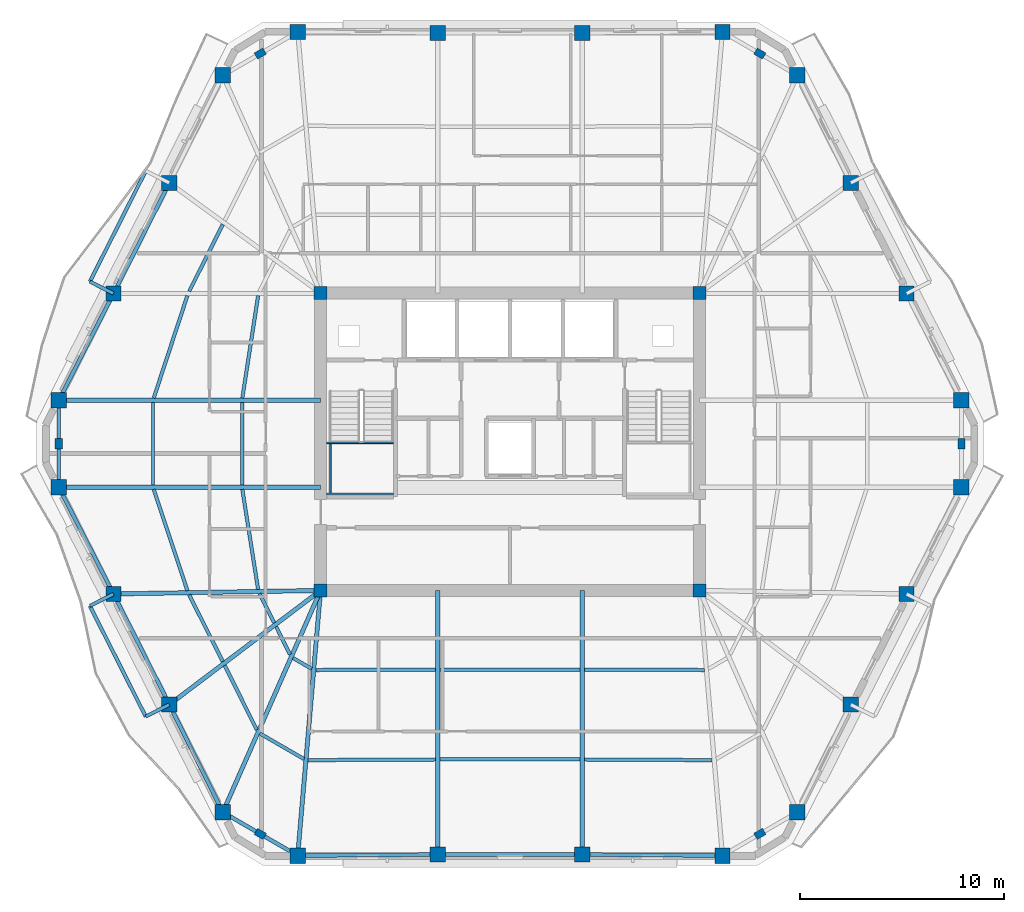
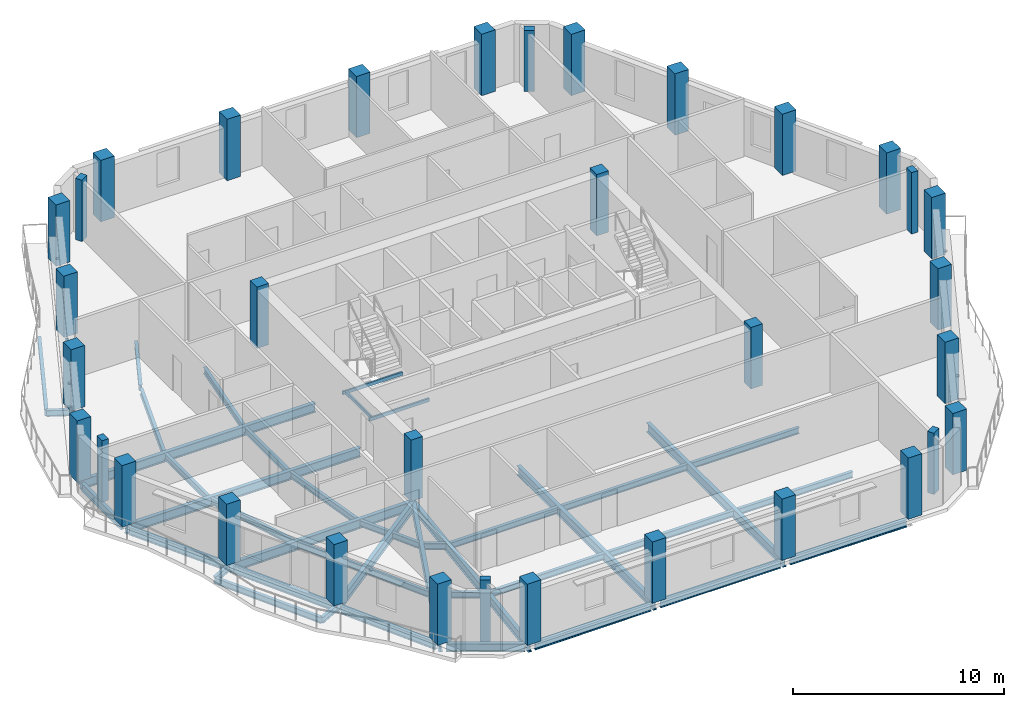
# One storey, part 1 of 11: 45 beams, 34 columns.
"""IFC4 building model written with IfcOpenShell, lengths in metres."""

from ifc_helpers import new_model, si_unit, direction, frame, origin, origin_2d, place, context, subcontext, project, spatial, rectangle, hollow_rectangle, i_section, extrude, material, material_profile, profile_set, type_object, element, save


model = new_model("IFC4")

# Units and contexts
model_context = context("Model", 3, precision=1e-05, world=origin(), true_north=direction((0.0, 1.0)))
body_context = subcontext(model_context, "Body", "Model", "MODEL_VIEW")
ifc_project = project(units=[si_unit("LENGTHUNIT", "METRE"), si_unit("AREAUNIT", "SQUARE_METRE"), si_unit("VOLUMEUNIT", "CUBIC_METRE"), si_unit("PLANEANGLEUNIT", "RADIAN"), si_unit("MASSUNIT", "GRAM", prefix="KILO")], contexts=[model_context])

# Site, building, storey
site_placement = place(None, origin())
site = spatial("IfcSite", under=ifc_project, at=site_placement, CompositionType="ELEMENT")
building_placement = place(site_placement, origin())
building = spatial("IfcBuilding", under=site, at=building_placement, Name="Cinnabar Lancet Tower", CompositionType="ELEMENT")
storey_placement = place(building_placement, frame((0.0, 0.0, 214.5)))
storey = spatial("IfcBuildingStorey", under=building, at=storey_placement, Name="L57", CompositionType="ELEMENT", Elevation=214.5)

# Columns
ifc_material_1 = material(Name="Concrete C60/75", Category="concrete")
ifc_material_profile_1 = material_profile(ifc_material_1, rectangle(XDim=0.64990234375, YDim=0.64990234375, at=origin_2d()), Name="RC-COL 650x650")
ifc_profile_set_1 = profile_set([ifc_material_profile_1], Name="Concrete C60/75")
column_type_1 = type_object("IfcColumnType", Name="STR-COL-CORE-650", PredefinedType="COLUMN", material=ifc_profile_set_1)
for number, where, z_axis, x_axis, name in (
    (1, (23.10009765625, 18.60009765625, 0.0), (0.0, 0.0, 1.0), (1.0, 0.0, 0.0), "L57 Core Corner Column SW"),
    (2, (41.699951171875, 18.60009765625, 0.0), (0.0, 0.0, 1.0), (1.0, 0.0, 0.0), "L57 Core Corner Column SE"),
    (3, (41.699951171875, 33.199951171875, 0.0), (0.0, 0.0, 1.0), (1.0, 0.0, 0.0), "L57 Core Corner Column NE"),
    (4, (23.10009765625, 33.199951171875, 0.0), (0.0, 0.0, 1.0), (1.0, 0.0, 0.0), "L57 Core Corner Column NW"),
):
    element("IfcColumn", number, at=place(storey_placement, frame(where, z_axis=z_axis, x_axis=x_axis)), inside=storey, type_object=column_type_1, Name=name, PredefinedType="COLUMN", context=body_context, shape_type="SweptSolid", body=[
        extrude(rectangle(XDim=0.64990234375, YDim=0.64990234375, at=origin_2d()), origin(), (0.0, 0.0, 1.0), 3.550048828125),
    ])
ifc_material_2 = material(Name="Concrete C60/75", Category="concrete")
ifc_material_profile_2 = material_profile(ifc_material_2, rectangle(XDim=0.5, YDim=0.35009765625, at=origin_2d()), Name="RC-PIL 500x350")
ifc_profile_set_2 = profile_set([ifc_material_profile_2], Name="Concrete C60/75")
column_type_2 = type_object("IfcColumnType", Name="STR-COL-PIL-500", PredefinedType="PILASTER", material=ifc_profile_set_2)
for number, where, z_axis, x_axis, name in (
    (5, (20.14208984375, 6.654052734375, 0.0), (0.0, 0.0, 1.0), (0.865230187018, -0.501374833306, 0.0), "L57 Chamfered Corner Pilaster 1"),
    (6, (44.657958984375, 6.654052734375, 0.0), (0.0, 0.0, 1.0), (0.865230187018, 0.501374833306, 0.0), "L57 Chamfered Corner Pilaster 2"),
    (7, (54.547119140625, 25.800048828125, 0.0), (0.0, 0.0, 1.0), (0.0, 1.0, 0.0), "L57 Chamfered Corner Pilaster 3"),
    (8, (44.657958984375, 44.947021484375, 0.0), (0.0, 0.0, 1.0), (-0.865230187018, 0.501374833306, 0.0), "L57 Chamfered Corner Pilaster 4"),
    (9, (20.14208984375, 44.947021484375, 0.0), (0.0, 0.0, 1.0), (-0.865230187018, -0.501374833306, 0.0), "L57 Chamfered Corner Pilaster 5"),
    (10, (10.2529296875, 25.800048828125, 0.0), (0.0, 0.0, 1.0), (0.0, -1.0, 0.0), "L57 Chamfered Corner Pilaster 6"),
):
    element("IfcColumn", number, at=place(storey_placement, frame(where, z_axis=z_axis, x_axis=x_axis)), inside=storey, type_object=column_type_2, Name=name, PredefinedType="PILASTER", context=body_context, shape_type="SweptSolid", body=[
        extrude(rectangle(XDim=0.5, YDim=0.35009765625, at=origin_2d()), origin(), (0.0, 0.0, 1.0), 3.550048828125),
    ])
ifc_material_3 = material(Name="Concrete C50/60", Category="concrete")
ifc_material_profile_3 = material_profile(ifc_material_3, rectangle(XDim=0.75, YDim=0.75, at=origin_2d()), Name="RC-COL 750x750")
ifc_profile_set_3 = profile_set([ifc_material_profile_3], Name="Concrete C50/60")
column_type_3 = type_object("IfcColumnType", Name="STR-COL-TUBE-750", PredefinedType="COLUMN", material=ifc_profile_set_3)
for number, where, z_axis, x_axis, name in (
    (11, (21.97900390625, 5.589111328125, 0.0), (0.0, 0.0, 1.0), (1.0, 0.0, 0.0), "L57 Perimeter Tube Column 1"),
    (12, (28.85693359375, 5.64208984375, 0.0), (0.0, 0.0, 1.0), (1.0, 0.0, 0.0), "L57 Perimeter Tube Column 2"),
    (13, (35.943115234375, 5.64208984375, 0.0), (0.0, 0.0, 1.0), (1.0, 0.0, 0.0), "L57 Perimeter Tube Column 3"),
    (14, (42.821044921875, 5.589111328125, 0.0), (0.0, 0.0, 1.0), (1.0, 0.0, 0.0), "L57 Perimeter Tube Column 4"),
    (15, (46.4951171875, 7.718017578125, 0.0), (0.0, 0.0, 1.0), (1.0, 0.0, 0.0), "L57 Perimeter Tube Column 5"),
    (16, (49.118896484375, 13.0009765625, 0.0), (0.0, 0.0, 1.0), (1.0, 0.0, 0.0), "L57 Perimeter Tube Column 6"),
    (17, (51.85791015625, 18.428955078125, 0.0), (0.0, 0.0, 1.0), (1.0, 0.0, 0.0), "L57 Perimeter Tube Column 7"),
    (18, (54.547119140625, 23.66796875, 0.0), (0.0, 0.0, 1.0), (1.0, 0.0, 0.0), "L57 Perimeter Tube Column 8"),
    (19, (54.547119140625, 27.931884765625, 0.0), (0.0, 0.0, 1.0), (1.0, 0.0, 0.0), "L57 Perimeter Tube Column 9"),
    (20, (51.85791015625, 33.1708984375, 0.0), (0.0, 0.0, 1.0), (1.0, 0.0, 0.0), "L57 Perimeter Tube Column 10"),
    (21, (49.118896484375, 38.59912109375, 0.0), (0.0, 0.0, 1.0), (1.0, 0.0, 0.0), "L57 Perimeter Tube Column 11"),
    (22, (46.4951171875, 43.882080078125, 0.0), (0.0, 0.0, 1.0), (1.0, 0.0, 0.0), "L57 Perimeter Tube Column 12"),
    (23, (42.821044921875, 46.010986328125, 0.0), (0.0, 0.0, 1.0), (1.0, 0.0, 0.0), "L57 Perimeter Tube Column 13"),
    (24, (35.943115234375, 45.9580078125, 0.0), (0.0, 0.0, 1.0), (1.0, 0.0, 0.0), "L57 Perimeter Tube Column 14"),
    (25, (28.85693359375, 45.9580078125, 0.0), (0.0, 0.0, 1.0), (1.0, 0.0, 0.0), "L57 Perimeter Tube Column 15"),
    (26, (21.97900390625, 46.010986328125, 0.0), (0.0, 0.0, 1.0), (1.0, 0.0, 0.0), "L57 Perimeter Tube Column 16"),
    (27, (18.304931640625, 43.882080078125, 0.0), (0.0, 0.0, 1.0), (1.0, 0.0, 0.0), "L57 Perimeter Tube Column 17"),
    (28, (15.680908203125, 38.59912109375, 0.0), (0.0, 0.0, 1.0), (1.0, 0.0, 0.0), "L57 Perimeter Tube Column 18"),
    (29, (12.94189453125, 33.1708984375, 0.0), (0.0, 0.0, 1.0), (1.0, 0.0, 0.0), "L57 Perimeter Tube Column 19"),
    (30, (10.2529296875, 27.931884765625, 0.0), (0.0, 0.0, 1.0), (1.0, 0.0, 0.0), "L57 Perimeter Tube Column 20"),
    (31, (10.2529296875, 23.66796875, 0.0), (0.0, 0.0, 1.0), (1.0, 0.0, 0.0), "L57 Perimeter Tube Column 21"),
    (32, (12.94189453125, 18.428955078125, 0.0), (0.0, 0.0, 1.0), (1.0, 0.0, 0.0), "L57 Perimeter Tube Column 22"),
    (33, (15.680908203125, 13.0009765625, 0.0), (0.0, 0.0, 1.0), (1.0, 0.0, 0.0), "L57 Perimeter Tube Column 23"),
    (34, (18.304931640625, 7.718017578125, 0.0), (0.0, 0.0, 1.0), (1.0, 0.0, 0.0), "L57 Perimeter Tube Column 24"),
):
    element("IfcColumn", number, at=place(storey_placement, frame(where, z_axis=z_axis, x_axis=x_axis)), inside=storey, type_object=column_type_3, Name=name, PredefinedType="COLUMN", context=body_context, shape_type="SweptSolid", body=[
        extrude(rectangle(XDim=0.75, YDim=0.75, at=origin_2d()), origin(), (0.0, 0.0, 1.0), 3.550048828125),
    ])

# Beams
ifc_material_4 = material(Name="Structural steel S355", Category="steel")
ifc_material_profile_4 = material_profile(ifc_material_4, i_section(OverallWidth=0.17138671875, OverallDepth=0.35498046875, WebThickness=0.00732421875, FlangeThickness=0.011474609375, FilletRadius=0.01025390625, at=origin_2d()), Name="UKB 356x171x51")
ifc_profile_set_4 = profile_set([ifc_material_profile_4], Name="Structural steel S355")
beam_type_1 = type_object("IfcBeamType", Name="STR-BM-JST-356", PredefinedType="JOIST", material=ifc_profile_set_4)
beam_1_placement = place(storey_placement, frame((14.9130859375, 23.56298828125, -0.376953125), z_axis=(0.315346227037, -0.948976689436, 0.0), x_axis=(0.948976689436, 0.315346227037, 0.0)))
element("IfcBeam", 35, at=beam_1_placement, inside=storey, type_object=beam_type_1, Name="L57 Secondary Floor Joist 1", PredefinedType="JOIST", context=body_context, shape_type="SweptSolid", body=[
    extrude(i_section(OverallWidth=0.17138671875, OverallDepth=0.35498046875, WebThickness=0.00732421875, FlangeThickness=0.011474609375, FilletRadius=0.01025390625, at=origin_2d()), origin(), (0.0, 0.0, 1.0), 5.235107421875),
])
beam_2_placement = place(storey_placement, frame((19.261962890625, 23.56298828125, -0.376953125), z_axis=(0.155702775827, -0.987803950994, 0.0), x_axis=(0.987803950994, 0.155702775827, 0.0)))
element("IfcBeam", 36, at=beam_2_placement, inside=storey, type_object=beam_type_1, Name="L57 Secondary Floor Joist 2", PredefinedType="JOIST", context=body_context, shape_type="SweptSolid", body=[
    extrude(i_section(OverallWidth=0.17138671875, OverallDepth=0.35498046875, WebThickness=0.00732421875, FlangeThickness=0.011474609375, FilletRadius=0.01025390625, at=origin_2d()), origin(), (0.0, 0.0, 1.0), 4.970458984375),
])
beam_3_placement = place(storey_placement, frame((16.65087890625, 18.386962890625, -0.376953125), z_axis=(0.45061776862, -0.892716991327, 0.0), x_axis=(0.892716991327, 0.45061776862, 0.0)))
element("IfcBeam", 37, at=beam_3_placement, inside=storey, type_object=beam_type_1, Name="L57 Secondary Floor Joist 3", PredefinedType="JOIST", context=body_context, shape_type="SweptSolid", body=[
    extrude(i_section(OverallWidth=0.17138671875, OverallDepth=0.35498046875, WebThickness=0.00732421875, FlangeThickness=0.011474609375, FilletRadius=0.01025390625, at=origin_2d()), origin(), (0.0, 0.0, 1.0), 3.66845703125),
])
beam_4_placement = place(storey_placement, frame((20.10498046875, 18.445068359375, -0.376953125), z_axis=(0.450137936259, -0.892959035085, 0.0), x_axis=(0.892959035085, 0.450137936259, 0.0)))
element("IfcBeam", 38, at=beam_4_placement, inside=storey, type_object=beam_type_1, Name="L57 Secondary Floor Joist 4", PredefinedType="JOIST", context=body_context, shape_type="SweptSolid", body=[
    extrude(i_section(OverallWidth=0.17138671875, OverallDepth=0.35498046875, WebThickness=0.00732421875, FlangeThickness=0.011474609375, FilletRadius=0.01025390625, at=origin_2d()), origin(), (0.0, 0.0, 1.0), 1.6015625),
])
beam_5_placement = place(storey_placement, frame((18.39892578125, 14.9208984375, -0.376953125), z_axis=(0.445083338565, -0.895489152214, 0.0), x_axis=(0.895489152214, 0.445083338565, 0.0)))
element("IfcBeam", 39, at=beam_5_placement, inside=storey, type_object=beam_type_1, Name="L57 Secondary Floor Joist 5", PredefinedType="JOIST", context=body_context, shape_type="SweptSolid", body=[
    extrude(i_section(OverallWidth=0.17138671875, OverallDepth=0.35498046875, WebThickness=0.00732421875, FlangeThickness=0.011474609375, FilletRadius=0.01025390625, at=origin_2d()), origin(), (0.0, 0.0, 1.0), 3.531982421875),
])
beam_6_placement = place(storey_placement, frame((20.922119140625, 16.824951171875, -0.376953125), z_axis=(0.444589856968, -0.895734256954, 0.0), x_axis=(0.895734256954, 0.444589856968, 0.0)))
element("IfcBeam", 40, at=beam_6_placement, inside=storey, type_object=beam_type_1, Name="L57 Secondary Floor Joist 6", PredefinedType="JOIST", context=body_context, shape_type="SweptSolid", body=[
    extrude(i_section(OverallWidth=0.17138671875, OverallDepth=0.35498046875, WebThickness=0.00732421875, FlangeThickness=0.011474609375, FilletRadius=0.01025390625, at=origin_2d()), origin(), (0.0, 0.0, 1.0), 1.527099609375),
])
beam_7_placement = place(storey_placement, frame((20.1220703125, 11.5830078125, -0.376953125), z_axis=(0.865267839663, -0.501309849937, 0.0), x_axis=(0.501309849937, 0.865267839663, 0.0)))
element("IfcBeam", 41, at=beam_7_placement, inside=storey, type_object=beam_type_1, Name="L57 Secondary Floor Joist 7", PredefinedType="JOIST", context=body_context, shape_type="SweptSolid", body=[
    extrude(i_section(OverallWidth=0.17138671875, OverallDepth=0.35498046875, WebThickness=0.00732421875, FlangeThickness=0.011474609375, FilletRadius=0.01025390625, at=origin_2d()), origin(), (0.0, 0.0, 1.0), 2.497314453125),
])
beam_8_placement = place(storey_placement, frame((21.7529296875, 15.282958984375, -0.376953125), z_axis=(0.8651881055, -0.501447446998, 0.0), x_axis=(0.501447446998, 0.8651881055, 0.0)))
element("IfcBeam", 42, at=beam_8_placement, inside=storey, type_object=beam_type_1, Name="L57 Secondary Floor Joist 8", PredefinedType="JOIST", context=body_context, shape_type="SweptSolid", body=[
    extrude(i_section(OverallWidth=0.17138671875, OverallDepth=0.35498046875, WebThickness=0.00732421875, FlangeThickness=0.011474609375, FilletRadius=0.01025390625, at=origin_2d()), origin(), (0.0, 0.0, 1.0), 1.05322265625),
])
beam_9_placement = place(storey_placement, frame((22.488037109375, 10.27392578125, -0.376953125), z_axis=(0.999986965561, 0.005105752523, 0.0), x_axis=(-0.005105752523, 0.999986965561, 0.0)))
element("IfcBeam", 43, at=beam_9_placement, inside=storey, type_object=beam_type_1, Name="L57 Secondary Floor Joist 9", PredefinedType="JOIST", context=body_context, shape_type="SweptSolid", body=[
    extrude(i_section(OverallWidth=0.17138671875, OverallDepth=0.35498046875, WebThickness=0.00732421875, FlangeThickness=0.011474609375, FilletRadius=0.01025390625, at=origin_2d()), origin(), (0.0, 0.0, 1.0), 6.263916015625),
])
beam_10_placement = place(storey_placement, frame((22.868896484375, 14.697021484375, -0.376953125), z_axis=(0.999996795933, 0.002531427338, 0.0), x_axis=(-0.002531427338, 0.999996795933, 0.0)))
element("IfcBeam", 44, at=beam_10_placement, inside=storey, type_object=beam_type_1, Name="L57 Secondary Floor Joist 10", PredefinedType="JOIST", context=body_context, shape_type="SweptSolid", body=[
    extrude(i_section(OverallWidth=0.17138671875, OverallDepth=0.35498046875, WebThickness=0.00732421875, FlangeThickness=0.011474609375, FilletRadius=0.01025390625, at=origin_2d()), origin(), (0.0, 0.0, 1.0), 5.883056640625),
])
for number, where, z_axis, x_axis, name in (
    (45, (28.9619140625, 10.306884765625, -0.376953125), (1.0, 0.0, 0.0), (0.0, 1.0, 0.0), "L57 Secondary Floor Joist 11"),
    (46, (28.9619140625, 14.712890625, -0.376953125), (1.0, 0.0, 0.0), (0.0, 1.0, 0.0), "L57 Secondary Floor Joist 12"),
):
    element("IfcBeam", number, at=place(storey_placement, frame(where, z_axis=z_axis, x_axis=x_axis)), inside=storey, type_object=beam_type_1, Name=name, PredefinedType="JOIST", context=body_context, shape_type="SweptSolid", body=[
        extrude(i_section(OverallWidth=0.17138671875, OverallDepth=0.35498046875, WebThickness=0.00732421875, FlangeThickness=0.011474609375, FilletRadius=0.01025390625, at=origin_2d()), origin(), (0.0, 0.0, 1.0), 6.8759765625),
    ])
beam_11_placement = place(storey_placement, frame((36.048095703125, 10.305908203125, -0.376953125), z_axis=(0.999986965561, -0.005105752523, 0.0), x_axis=(0.005105752523, 0.999986965561, 0.0)))
element("IfcBeam", 47, at=beam_11_placement, inside=storey, type_object=beam_type_1, Name="L57 Secondary Floor Joist 13", PredefinedType="JOIST", context=body_context, shape_type="SweptSolid", body=[
    extrude(i_section(OverallWidth=0.17138671875, OverallDepth=0.35498046875, WebThickness=0.00732421875, FlangeThickness=0.011474609375, FilletRadius=0.01025390625, at=origin_2d()), origin(), (0.0, 0.0, 1.0), 6.263916015625),
])
beam_12_placement = place(storey_placement, frame((36.048095703125, 14.7119140625, -0.376953125), z_axis=(0.999996795667, -0.002531532393, 0.0), x_axis=(0.002531532393, 0.999996795667, 0.0)))
element("IfcBeam", 48, at=beam_12_placement, inside=storey, type_object=beam_type_1, Name="L57 Secondary Floor Joist 14", PredefinedType="JOIST", context=body_context, shape_type="SweptSolid", body=[
    extrude(i_section(OverallWidth=0.17138671875, OverallDepth=0.35498046875, WebThickness=0.00732421875, FlangeThickness=0.011474609375, FilletRadius=0.01025390625, at=origin_2d()), origin(), (0.0, 0.0, 1.0), 5.8828125),
])
beam_13_placement = place(storey_placement, frame((18.303955078125, 36.56103515625, -0.376953125), z_axis=(-0.449230875134, -0.893415704376, 0.0), x_axis=(0.893415704376, -0.449230875134, 0.0)))
element("IfcBeam", 49, at=beam_13_placement, inside=storey, type_object=beam_type_1, Name="L57 Secondary Floor Joist 43", PredefinedType="JOIST", context=body_context, shape_type="SweptSolid", body=[
    extrude(i_section(OverallWidth=0.17138671875, OverallDepth=0.35498046875, WebThickness=0.00732421875, FlangeThickness=0.011474609375, FilletRadius=0.01025390625, at=origin_2d()), origin(), (0.0, 0.0, 1.0), 3.677001953125),
])
beam_14_placement = place(storey_placement, frame((16.56494140625, 33.06591796875, -0.376953125), z_axis=(-0.312240109925, -0.95000321776, 0.0), x_axis=(0.95000321776, -0.312240109925, 0.0)))
element("IfcBeam", 50, at=beam_14_placement, inside=storey, type_object=beam_type_1, Name="L57 Secondary Floor Joist 45", PredefinedType="JOIST", context=body_context, shape_type="SweptSolid", body=[
    extrude(i_section(OverallWidth=0.17138671875, OverallDepth=0.35498046875, WebThickness=0.00732421875, FlangeThickness=0.011474609375, FilletRadius=0.01025390625, at=origin_2d()), origin(), (0.0, 0.0, 1.0), 5.29345703125),
])
beam_15_placement = place(storey_placement, frame((20.035888671875, 33.06591796875, -0.376953125), z_axis=(-0.152107663797, -0.988363930248, 0.0), x_axis=(0.988363930248, -0.152107663797, 0.0)))
element("IfcBeam", 51, at=beam_15_placement, inside=storey, type_object=beam_type_1, Name="L57 Secondary Floor Joist 46", PredefinedType="JOIST", context=body_context, shape_type="SweptSolid", body=[
    extrude(i_section(OverallWidth=0.17138671875, OverallDepth=0.35498046875, WebThickness=0.00732421875, FlangeThickness=0.011474609375, FilletRadius=0.01025390625, at=origin_2d()), origin(), (0.0, 0.0, 1.0), 5.088134765625),
])
for number, where, z_axis, x_axis, name in (
    (52, (14.8779296875, 27.826904296875, -0.376953125), (0.0, -1.0, 0.0), (1.0, 0.0, 0.0), "L57 Secondary Floor Joist 47"),
    (53, (19.24609375, 27.826904296875, -0.376953125), (0.0, -1.0, 0.0), (1.0, 0.0, 0.0), "L57 Secondary Floor Joist 48"),
):
    element("IfcBeam", number, at=place(storey_placement, frame(where, z_axis=z_axis, x_axis=x_axis)), inside=storey, type_object=beam_type_1, Name=name, PredefinedType="JOIST", context=body_context, shape_type="SweptSolid", body=[
        extrude(i_section(OverallWidth=0.17138671875, OverallDepth=0.35498046875, WebThickness=0.00732421875, FlangeThickness=0.011474609375, FilletRadius=0.01025390625, at=origin_2d()), origin(), (0.0, 0.0, 1.0), 4.053955078125),
    ])
ifc_material_5 = material(Name="Structural steel S355", Category="steel")
ifc_material_profile_5 = material_profile(ifc_material_5, hollow_rectangle(XDim=0.10009765625, YDim=0.199951171875, WallThickness=0.008056640625, InnerFilletRadius=0.00390625, OuterFilletRadius=0.011962890625, at=origin_2d()), Name="RHS 200x100x8")
ifc_profile_set_5 = profile_set([ifc_material_profile_5], Name="Structural steel S355")
beam_type_2 = type_object("IfcBeamType", Name="STR-BM-LND-203", PredefinedType="BEAM", material=ifc_profile_set_5)
for number, where, z_axis, x_axis, name in (
    (54, (23.39990234375, 23.330078125, 1.47509765625), (1.0, 0.0, 0.0), (0.0, 1.0, 0.0), "L57 ST-1-L57 Landing Support Beam S"),
    (55, (23.39990234375, 25.844970703125, 1.47509765625), (1.0, 0.0, 0.0), (0.0, 1.0, 0.0), "L57 ST-1-L57 Landing Support Beam N"),
):
    element("IfcBeam", number, at=place(storey_placement, frame(where, z_axis=z_axis, x_axis=x_axis)), inside=storey, type_object=beam_type_2, Name=name, PredefinedType="BEAM", context=body_context, shape_type="SweptSolid", body=[
        extrude(hollow_rectangle(XDim=0.10009765625, YDim=0.199951171875, WallThickness=0.008056640625, InnerFilletRadius=0.00390625, OuterFilletRadius=0.011962890625, at=origin_2d()), origin(), (0.0, 0.0, 1.0), 3.280029296875),
    ])
beam_16_placement = place(storey_placement, frame((23.580078125, 23.3798828125, 1.47509765625), z_axis=(0.0, 1.0, 0.0), x_axis=(-1.0, 0.0, 0.0)))
element("IfcBeam", 56, at=beam_16_placement, inside=storey, type_object=beam_type_2, Name="L57 ST-1-L57 Landing Side Trimmer Beam", PredefinedType="BEAM", context=body_context, shape_type="SweptSolid", body=[
    extrude(hollow_rectangle(XDim=0.10009765625, YDim=0.199951171875, WallThickness=0.008056640625, InnerFilletRadius=0.00390625, OuterFilletRadius=0.011962890625, at=origin_2d()), origin(), (0.0, 0.0, 1.0), 2.4150390625),
])
ifc_material_6 = material(Name="Structural steel S355", Category="steel")
ifc_material_profile_6 = material_profile(ifc_material_6, i_section(OverallWidth=0.1904296875, OverallDepth=0.45703125, WebThickness=0.009033203125, FlangeThickness=0.014404296875, FilletRadius=0.01025390625, at=origin_2d()), Name="UKB 457x191x74")
ifc_profile_set_6 = profile_set([ifc_material_profile_6], Name="Structural steel S355")
beam_type_3 = type_object("IfcBeamType", Name="STR-BM-SPN-457", PredefinedType="SPANDREL", material=ifc_profile_set_6)
beam_17_placement = place(storey_placement, frame((22.22900390625, 5.591064453125, -0.427978515625), z_axis=(0.999970695686, 0.007655571089, 0.0), x_axis=(-0.007655571089, 0.999970695686, 0.0)))
element("IfcBeam", 57, at=beam_17_placement, inside=storey, type_object=beam_type_3, Name="L57 Perimeter Spandrel 1", PredefinedType="SPANDREL", context=body_context, shape_type="SweptSolid", body=[
    extrude(i_section(OverallWidth=0.1904296875, OverallDepth=0.45703125, WebThickness=0.009033203125, FlangeThickness=0.014404296875, FilletRadius=0.01025390625, at=origin_2d()), origin(), (0.0, 0.0, 1.0), 6.378173828125),
])
beam_18_placement = place(storey_placement, frame((29.10693359375, 5.64208984375, -0.427978515625), z_axis=(1.0, 0.0, 0.0), x_axis=(0.0, 1.0, 0.0)))
element("IfcBeam", 58, at=beam_18_placement, inside=storey, type_object=beam_type_3, Name="L57 Perimeter Spandrel 2", PredefinedType="SPANDREL", context=body_context, shape_type="SweptSolid", body=[
    extrude(i_section(OverallWidth=0.1904296875, OverallDepth=0.45703125, WebThickness=0.009033203125, FlangeThickness=0.014404296875, FilletRadius=0.01025390625, at=origin_2d()), origin(), (0.0, 0.0, 1.0), 6.586181640625),
])
beam_19_placement = place(storey_placement, frame((36.193115234375, 5.639892578125, -0.427978515625), z_axis=(0.999970695686, -0.007655571089, 0.0), x_axis=(0.007655571089, 0.999970695686, 0.0)))
element("IfcBeam", 59, at=beam_19_placement, inside=storey, type_object=beam_type_3, Name="L57 Perimeter Spandrel 3", PredefinedType="SPANDREL", context=body_context, shape_type="SweptSolid", body=[
    extrude(i_section(OverallWidth=0.1904296875, OverallDepth=0.45703125, WebThickness=0.009033203125, FlangeThickness=0.014404296875, FilletRadius=0.01025390625, at=origin_2d()), origin(), (0.0, 0.0, 1.0), 6.378173828125),
])
beam_20_placement = place(storey_placement, frame((15.568115234375, 38.3759765625, -0.427978515625), z_axis=(-0.450395996562, -0.892828900899, 0.0), x_axis=(0.892828900899, -0.450395996562, 0.0)))
element("IfcBeam", 60, at=beam_20_placement, inside=storey, type_object=beam_type_3, Name="L57 Perimeter Spandrel 18", PredefinedType="SPANDREL", context=body_context, shape_type="SweptSolid", body=[
    extrude(i_section(OverallWidth=0.1904296875, OverallDepth=0.45703125, WebThickness=0.009033203125, FlangeThickness=0.014404296875, FilletRadius=0.01025390625, at=origin_2d()), origin(), (0.0, 0.0, 1.0), 5.579833984375),
])
beam_21_placement = place(storey_placement, frame((12.827880859375, 32.948974609375, -0.427978515625), z_axis=(-0.456610910924, -0.889666497079, 0.0), x_axis=(0.889666497079, -0.456610910924, 0.0)))
element("IfcBeam", 61, at=beam_21_placement, inside=storey, type_object=beam_type_3, Name="L57 Perimeter Spandrel 19", PredefinedType="SPANDREL", context=body_context, shape_type="SweptSolid", body=[
    extrude(i_section(OverallWidth=0.1904296875, OverallDepth=0.45703125, WebThickness=0.009033203125, FlangeThickness=0.014404296875, FilletRadius=0.01025390625, at=origin_2d()), origin(), (0.0, 0.0, 1.0), 5.3896484375),
])
beam_22_placement = place(storey_placement, frame((10.2529296875, 27.681884765625, -0.427978515625), z_axis=(0.0, -1.0, 0.0), x_axis=(1.0, 0.0, 0.0)))
element("IfcBeam", 62, at=beam_22_placement, inside=storey, type_object=beam_type_3, Name="L57 Perimeter Spandrel 20", PredefinedType="SPANDREL", context=body_context, shape_type="SweptSolid", body=[
    extrude(i_section(OverallWidth=0.1904296875, OverallDepth=0.45703125, WebThickness=0.009033203125, FlangeThickness=0.014404296875, FilletRadius=0.01025390625, at=origin_2d()), origin(), (0.0, 0.0, 1.0), 3.763916015625),
])
beam_23_placement = place(storey_placement, frame((10.366943359375, 23.446044921875, -0.427978515625), z_axis=(0.456592509812, -0.889675940994, 0.0), x_axis=(0.889675940994, 0.456592509812, 0.0)))
element("IfcBeam", 63, at=beam_23_placement, inside=storey, type_object=beam_type_3, Name="L57 Perimeter Spandrel 21", PredefinedType="SPANDREL", context=body_context, shape_type="SweptSolid", body=[
    extrude(i_section(OverallWidth=0.1904296875, OverallDepth=0.45703125, WebThickness=0.009033203125, FlangeThickness=0.014404296875, FilletRadius=0.01025390625, at=origin_2d()), origin(), (0.0, 0.0, 1.0), 5.389892578125),
])
beam_24_placement = place(storey_placement, frame((13.054931640625, 18.2060546875, -0.427978515625), z_axis=(0.450395996562, -0.892828900899, 0.0), x_axis=(0.892828900899, 0.450395996562, 0.0)))
element("IfcBeam", 64, at=beam_24_placement, inside=storey, type_object=beam_type_3, Name="L57 Perimeter Spandrel 22", PredefinedType="SPANDREL", context=body_context, shape_type="SweptSolid", body=[
    extrude(i_section(OverallWidth=0.1904296875, OverallDepth=0.45703125, WebThickness=0.009033203125, FlangeThickness=0.014404296875, FilletRadius=0.01025390625, at=origin_2d()), origin(), (0.0, 0.0, 1.0), 5.579833984375),
])
beam_25_placement = place(storey_placement, frame((15.7919921875, 12.777099609375, -0.427978515625), z_axis=(0.444914968367, -0.895572817208, 0.0), x_axis=(0.895572817208, 0.444914968367, 0.0)))
element("IfcBeam", 65, at=beam_25_placement, inside=storey, type_object=beam_type_3, Name="L57 Perimeter Spandrel 23", PredefinedType="SPANDREL", context=body_context, shape_type="SweptSolid", body=[
    extrude(i_section(OverallWidth=0.1904296875, OverallDepth=0.45703125, WebThickness=0.009033203125, FlangeThickness=0.014404296875, FilletRadius=0.01025390625, at=origin_2d()), origin(), (0.0, 0.0, 1.0), 5.39892578125),
])
beam_26_placement = place(storey_placement, frame((18.52099609375, 7.593017578125, -0.427978515625), z_axis=(0.865195717586, -0.501434313016, 0.0), x_axis=(0.501434313016, 0.865195717586, 0.0)))
element("IfcBeam", 66, at=beam_26_placement, inside=storey, type_object=beam_type_3, Name="L57 Perimeter Spandrel 24", PredefinedType="SPANDREL", context=body_context, shape_type="SweptSolid", body=[
    extrude(i_section(OverallWidth=0.1904296875, OverallDepth=0.45703125, WebThickness=0.009033203125, FlangeThickness=0.014404296875, FilletRadius=0.01025390625, at=origin_2d()), origin(), (0.0, 0.0, 1.0), 3.7470703125),
])
ifc_material_7 = material(Name="Structural steel S355", Category="steel")
ifc_material_profile_7 = material_profile(ifc_material_7, i_section(OverallWidth=0.209228515625, OverallDepth=0.533203125, WebThickness=0.010009765625, FlangeThickness=0.015625, FilletRadius=0.0126953125, at=origin_2d()), Name="UKB 533x210x92")
ifc_profile_set_7 = profile_set([ifc_material_profile_7], Name="Structural steel S355")
beam_type_4 = type_object("IfcBeamType", Name="STR-BM-UKB533-92", PredefinedType="BEAM", material=ifc_profile_set_7)
beam_27_placement = place(storey_placement, frame((15.680908203125, 13.0009765625, -0.467041015625), z_axis=(0.798202971293, 0.602388592703, 0.0), x_axis=(-0.602388592703, 0.798202971293, 0.0)))
element("IfcBeam", 67, at=beam_27_placement, inside=storey, type_object=beam_type_4, Name="L57 Corner Collector Girder 1", PredefinedType="BEAM", context=body_context, shape_type="SweptSolid", body=[
    extrude(i_section(OverallWidth=0.209228515625, OverallDepth=0.533203125, WebThickness=0.010009765625, FlangeThickness=0.015625, FilletRadius=0.0126953125, at=origin_2d()), origin(), (0.0, 0.0, 1.0), 9.294921875),
])
beam_28_placement = place(storey_placement, frame((21.97900390625, 5.589111328125, -0.467041015625), z_axis=(0.085847068729, 0.996308326167, 0.0), x_axis=(-0.996308326167, 0.085847068729, 0.0)))
element("IfcBeam", 68, at=beam_28_placement, inside=storey, type_object=beam_type_4, Name="L57 Primary Floor Girder 1", PredefinedType="BEAM", context=body_context, shape_type="SweptSolid", body=[
    extrude(i_section(OverallWidth=0.209228515625, OverallDepth=0.533203125, WebThickness=0.010009765625, FlangeThickness=0.015625, FilletRadius=0.0126953125, at=origin_2d()), origin(), (0.0, 0.0, 1.0), 13.05908203125),
])
for number, where, z_axis, x_axis, name in (
    (69, (28.85693359375, 5.64208984375, -0.467041015625), (0.0, 1.0, 0.0), (-1.0, 0.0, 0.0), "L57 Primary Floor Girder 2"),
    (70, (35.943115234375, 5.64208984375, -0.467041015625), (0.0, 1.0, 0.0), (-1.0, 0.0, 0.0), "L57 Primary Floor Girder 3"),
):
    element("IfcBeam", number, at=place(storey_placement, frame(where, z_axis=z_axis, x_axis=x_axis)), inside=storey, type_object=beam_type_4, Name=name, PredefinedType="BEAM", context=body_context, shape_type="SweptSolid", body=[
        extrude(i_section(OverallWidth=0.209228515625, OverallDepth=0.533203125, WebThickness=0.010009765625, FlangeThickness=0.015625, FilletRadius=0.0126953125, at=origin_2d()), origin(), (0.0, 0.0, 1.0), 12.9580078125),
    ])
for number, where, z_axis, x_axis, name in (
    (71, (10.2529296875, 27.931884765625, -0.467041015625), (1.0, 0.0, 0.0), (0.0, 1.0, 0.0), "L57 Primary Floor Girder 20"),
    (72, (10.2529296875, 23.66796875, -0.467041015625), (1.0, 0.0, 0.0), (0.0, 1.0, 0.0), "L57 Primary Floor Girder 21"),
):
    element("IfcBeam", number, at=place(storey_placement, frame(where, z_axis=z_axis, x_axis=x_axis)), inside=storey, type_object=beam_type_4, Name=name, PredefinedType="BEAM", context=body_context, shape_type="SweptSolid", body=[
        extrude(i_section(OverallWidth=0.209228515625, OverallDepth=0.533203125, WebThickness=0.010009765625, FlangeThickness=0.015625, FilletRadius=0.0126953125, at=origin_2d()), origin(), (0.0, 0.0, 1.0), 12.84716796875),
    ])
beam_29_placement = place(storey_placement, frame((12.94189453125, 18.428955078125, -0.467041015625), z_axis=(0.999858107345, 0.016845331024, 0.0), x_axis=(-0.016845331024, 0.999858107345, 0.0)))
element("IfcBeam", 73, at=beam_29_placement, inside=storey, type_object=beam_type_4, Name="L57 Primary Floor Girder 22", PredefinedType="BEAM", context=body_context, shape_type="SweptSolid", body=[
    extrude(i_section(OverallWidth=0.209228515625, OverallDepth=0.533203125, WebThickness=0.010009765625, FlangeThickness=0.015625, FilletRadius=0.0126953125, at=origin_2d()), origin(), (0.0, 0.0, 1.0), 10.15966796875),
])
beam_30_placement = place(storey_placement, frame((18.304931640625, 7.718017578125, -0.467041015625), z_axis=(0.403235299754, 0.915096329919, 0.0), x_axis=(-0.915096329919, 0.403235299754, 0.0)))
element("IfcBeam", 74, at=beam_30_placement, inside=storey, type_object=beam_type_4, Name="L57 Primary Floor Girder 24", PredefinedType="BEAM", context=body_context, shape_type="SweptSolid", body=[
    extrude(i_section(OverallWidth=0.209228515625, OverallDepth=0.533203125, WebThickness=0.010009765625, FlangeThickness=0.015625, FilletRadius=0.0126953125, at=origin_2d()), origin(), (0.0, 0.0, 1.0), 11.891845703125),
])
ifc_material_8 = material(Name="Structural steel S355", Category="steel")
ifc_material_profile_8 = material_profile(ifc_material_8, i_section(OverallWidth=0.17138671875, OverallDepth=0.35498046875, WebThickness=0.00732421875, FlangeThickness=0.011474609375, FilletRadius=0.01025390625, at=origin_2d()), Name="UKB 356x171x51")
ifc_profile_set_8 = profile_set([ifc_material_profile_8], Name="Structural steel S355")
beam_type_5 = type_object("IfcBeamType", Name="STR-BM-WAV-OUT", PredefinedType="BEAM", material=ifc_profile_set_8)
for number, where, z_axis, x_axis, name in (
    (75, (12.94189453125, 33.1708984375, -0.39794921875), (-0.892200264127, 0.451639998995, 0.0), (-0.451639998995, -0.892200264127, 0.0), "L57 Face 5 Balcony Outlooker B"),
    (76, (12.94189453125, 18.428955078125, -0.39794921875), (-0.89227592947, -0.451490493464, 0.0), (0.451490493464, -0.89227592947, 0.0), "L57 Face 6 Balcony Outlooker A"),
    (77, (15.680908203125, 13.0009765625, -0.39794921875), (-0.89227592947, -0.451490493464, 0.0), (0.451490493464, -0.89227592947, 0.0), "L57 Face 6 Balcony Outlooker B"),
):
    element("IfcBeam", number, at=place(storey_placement, frame(where, z_axis=z_axis, x_axis=x_axis)), inside=storey, type_object=beam_type_5, Name=name, PredefinedType="BEAM", context=body_context, shape_type="SweptSolid", body=[
        extrude(i_section(OverallWidth=0.17138671875, OverallDepth=0.35498046875, WebThickness=0.00732421875, FlangeThickness=0.011474609375, FilletRadius=0.01025390625, at=origin_2d()), origin(), (0.0, 0.0, 1.0), 1.300048828125),
    ])
ifc_material_9 = material(Name="Structural steel S355", Category="steel")
ifc_material_profile_9 = material_profile(ifc_material_9, i_section(OverallWidth=0.17138671875, OverallDepth=0.35498046875, WebThickness=0.00732421875, FlangeThickness=0.011474609375, FilletRadius=0.01025390625, at=origin_2d()), Name="UKB 356x171x51")
ifc_profile_set_9 = profile_set([ifc_material_profile_9], Name="Structural steel S355")
beam_type_6 = type_object("IfcBeamType", Name="STR-BM-WAV-TRIM", PredefinedType="SPANDREL", material=ifc_profile_set_9)
for number, where, z_axis, x_axis, name in (
    (78, (14.52099609375, 39.18603515625, -0.39794921875), (-0.450503306898, -0.892774759093, 0.0), (0.892774759093, -0.450503306898, 0.0), "L57 Face 5 Balcony Edge Trimmer"),
    (79, (11.781982421875, 17.842041015625, -0.39794921875), (0.450503306898, -0.892774759093, 0.0), (0.892774759093, 0.450503306898, 0.0), "L57 Face 6 Balcony Edge Trimmer"),
):
    element("IfcBeam", number, at=place(storey_placement, frame(where, z_axis=z_axis, x_axis=x_axis)), inside=storey, type_object=beam_type_6, Name=name, PredefinedType="SPANDREL", context=body_context, shape_type="SweptSolid", body=[
        extrude(i_section(OverallWidth=0.17138671875, OverallDepth=0.35498046875, WebThickness=0.00732421875, FlangeThickness=0.011474609375, FilletRadius=0.01025390625, at=origin_2d()), origin(), (0.0, 0.0, 1.0), 6.079833984375),
    ])

save(model, "model.ifc")
